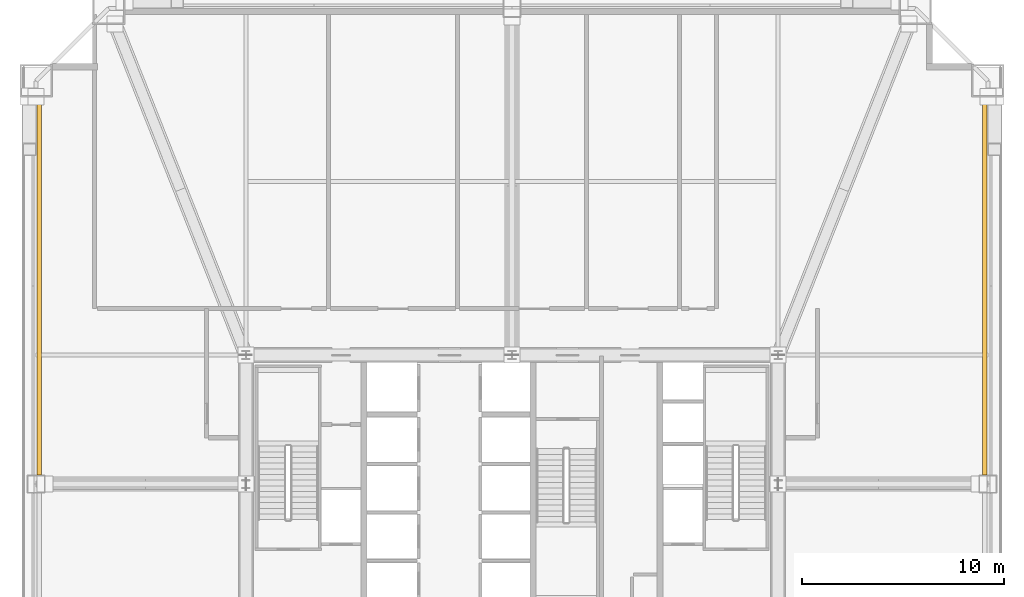
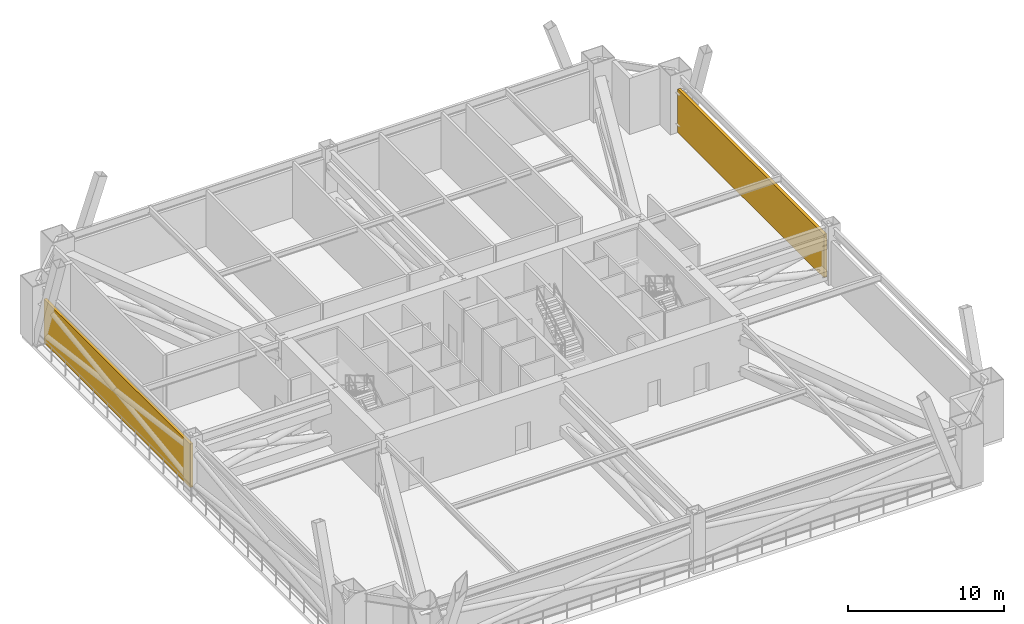
# One storey, part 10 of 10: 2 shading devices.
"""IFC4 building model written with IfcOpenShell, lengths in metres."""

from ifc_helpers import new_model, si_unit, direction, frame, origin, origin_2d, place, context, subcontext, project, spatial, rectangle, extrude, source, transform, mapped, material, layer, layer_set, type_object, element, save


model = new_model("IFC4")

# Units and contexts
model_context = context("Model", 3, precision=1e-05, world=origin(), true_north=direction((0.0, 1.0)))
body_context = subcontext(model_context, "Body", "Model", "MODEL_VIEW")
ifc_project = project(units=[si_unit("LENGTHUNIT", "METRE"), si_unit("AREAUNIT", "SQUARE_METRE"), si_unit("VOLUMEUNIT", "CUBIC_METRE"), si_unit("PLANEANGLEUNIT", "RADIAN"), si_unit("MASSUNIT", "GRAM", prefix="KILO"), si_unit("THERMODYNAMICTEMPERATUREUNIT", "KELVIN"), si_unit("POWERUNIT", "WATT")], contexts=[model_context])

# Site, building, storey
site_placement = place(None, origin())
site = spatial("IfcSite", under=ifc_project, at=site_placement, CompositionType="ELEMENT")
building_placement = place(site_placement, origin())
building = spatial("IfcBuilding", under=site, at=building_placement, Name="Yuzanri Waterfront Tower", CompositionType="ELEMENT")
storey_placement = place(building_placement, frame((0.0, 0.0, 129.800048828125)))
storey = spatial("IfcBuildingStorey", under=building, at=storey_placement, Name="L34", CompositionType="ELEMENT", Elevation=129.800048828125)

# Shading devices
ifc_material = material(Name="Anodized Architectural Bronze", Category="metal")
ifc_layer = layer(ifc_material, 0.219970703125)
ifc_layer_set = layer_set([ifc_layer], Name="Anodized Architectural Bronze")
shading_device_type = type_object("IfcShadingDeviceType", Name="Anodized Bronze Refuge Wind-Diffusing Louvre Screen 220", PredefinedType="USERDEFINED", material=ifc_layer_set)
shared_shape = source(origin(), body_context, "Body", "SweptSolid", [
    extrude(rectangle(XDim=0.219970703125, YDim=18.75, at=origin_2d()), origin(), (0.0, 0.0, 1.0), 3.39990234375),
])
for number, where, z_axis, x_axis, name in (
    (1, (13.550048828125, 35.625, 0.0), (0.0, 0.0, 1.0), (1.0, 0.0, 0.0), "L34 Wind-Diffusing Refuge Louvre WR"),
    (2, (60.449951171875, 35.625, 0.0), (0.0, 0.0, 1.0), (1.0, 0.0, 0.0), "L34 Wind-Diffusing Refuge Louvre ER"),
):
    element("IfcShadingDevice", number, at=place(storey_placement, frame(where, z_axis=z_axis, x_axis=x_axis)), inside=storey, type_object=shading_device_type, Name=name, ObjectType="LOUVRE", PredefinedType="USERDEFINED", context=body_context, shape_type="MappedRepresentation", body=[
        mapped(shared_shape, transform((0.0, 0.0, 0.0), scale=1.0)),
    ])

save(model, "model.ifc")
